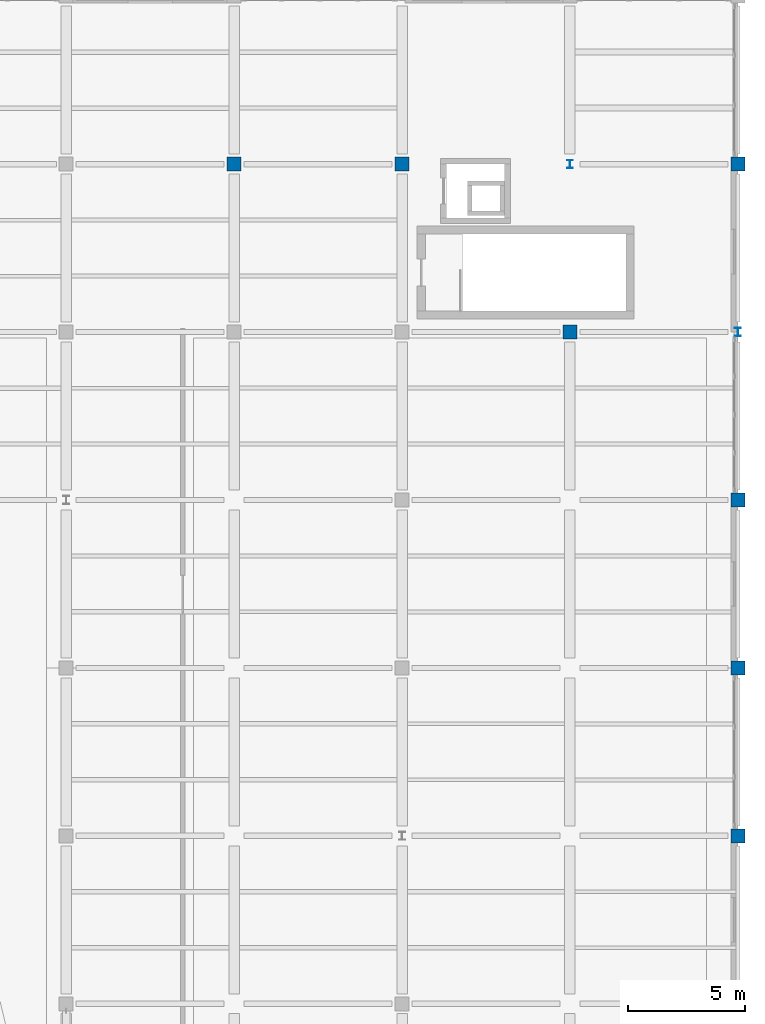
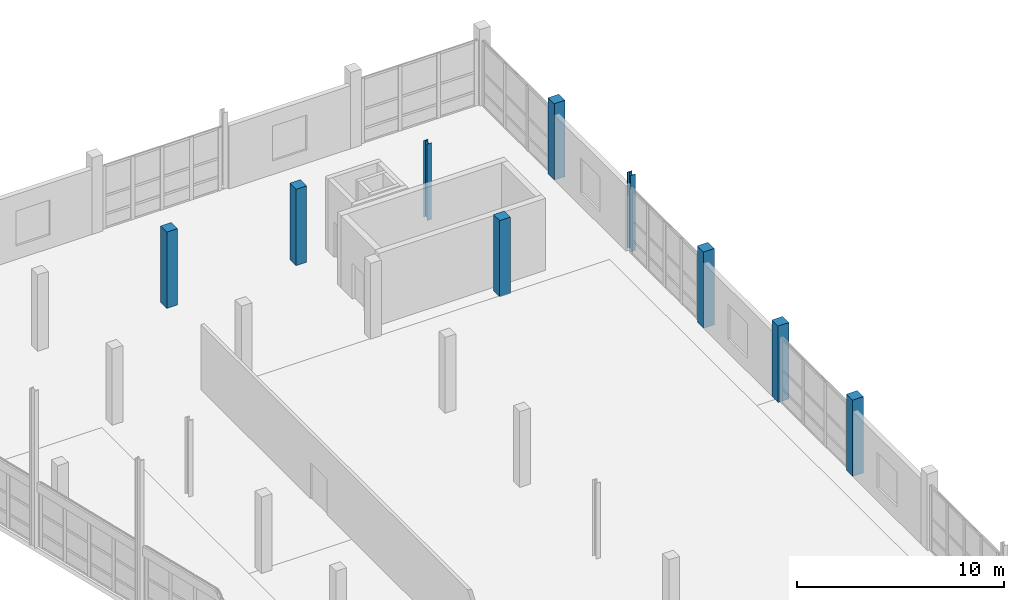
# One storey, part 23 of 123: 9 columns.
"""IFC4 building model written with IfcOpenShell, lengths in metres."""

from ifc_helpers import new_model, si_unit, direction, frame, origin, origin_2d, place, context, subcontext, project, spatial, rectangle, i_section, extrude, material, material_profile, profile_set, type_object, element, save


model = new_model("IFC4")

# Units and contexts
model_context = context("Model", 3, precision=1e-05, world=origin(), true_north=direction((0.0, 1.0)))
body_context = subcontext(model_context, "Body", "Model", "MODEL_VIEW")
ifc_project = project(units=[si_unit("LENGTHUNIT", "METRE"), si_unit("AREAUNIT", "SQUARE_METRE"), si_unit("VOLUMEUNIT", "CUBIC_METRE"), si_unit("PLANEANGLEUNIT", "RADIAN"), si_unit("MASSUNIT", "GRAM", prefix="KILO")], contexts=[model_context])

# Site, building, storey
site_placement = place(None, origin())
site = spatial("IfcSite", under=ifc_project, at=site_placement, CompositionType="ELEMENT")
building_placement = place(site_placement, origin())
building = spatial("IfcBuilding", under=site, at=building_placement, Name="Kalmorath City Hall", CompositionType="ELEMENT")
storey_placement = place(building_placement, frame((0.0, 0.0, 10.199951171875)))
storey = spatial("IfcBuildingStorey", under=building, at=storey_placement, Name="L02", CompositionType="ELEMENT", Elevation=10.199951171875)

# Columns
ifc_material_1 = material(Name="Concrete C50/60", Category="concrete")
ifc_material_profile_1 = material_profile(ifc_material_1, rectangle(XDim=0.60009765625, YDim=0.60009765625, at=origin_2d()), Name="RC-COL-600X600")
ifc_profile_set_1 = profile_set([ifc_material_profile_1], Name="Concrete C50/60")
column_type_1 = type_object("IfcColumnType", Name="Concrete column 600x600", PredefinedType="COLUMN", material=ifc_profile_set_1)
for number, where, z_axis, x_axis, name in (
    (1, (144.0, 93.60009765625, 0.0), (0.0, 0.0, 1.0), (1.0, 0.0, 0.0), "L02 column C6 (21/14)"),
    (2, (151.199951171875, 93.60009765625, 0.0), (0.0, 0.0, 1.0), (1.0, 0.0, 0.0), "L02 column C6 (22/14)"),
    (3, (158.39990234375, 86.39990234375, 0.0), (0.0, 0.0, 1.0), (1.0, 0.0, 0.0), "L02 column C6 (23/13)"),
    (4, (165.60009765625, 64.800048828125, 0.0), (0.0, 0.0, 1.0), (1.0, 0.0, 0.0), "L02 column C6 (24/10)"),
    (5, (165.60009765625, 72.0, 0.0), (0.0, 0.0, 1.0), (1.0, 0.0, 0.0), "L02 column C6 (24/11)"),
    (6, (165.60009765625, 79.199951171875, 0.0), (0.0, 0.0, 1.0), (1.0, 0.0, 0.0), "L02 column C6 (24/12)"),
    (7, (165.60009765625, 93.60009765625, 0.0), (0.0, 0.0, 1.0), (1.0, 0.0, 0.0), "L02 column C6 (24/14)"),
):
    element("IfcColumn", number, at=place(storey_placement, frame(where, z_axis=z_axis, x_axis=x_axis)), inside=storey, type_object=column_type_1, Name=name, PredefinedType="COLUMN", context=body_context, shape_type="SweptSolid", body=[
        extrude(rectangle(XDim=0.60009765625, YDim=0.60009765625, at=origin_2d()), origin(), (0.0, 0.0, 1.0), 4.5),
    ])
ifc_material_2 = material(Name="Steel ASTM A992 Grade 50", Category="steel")
ifc_material_profile_2 = material_profile(ifc_material_2, i_section(OverallWidth=0.25390625, OverallDepth=0.35302734375, WebThickness=0.009521484375, FlangeThickness=0.016357421875, FilletRadius=0.014892578125, at=origin_2d()), Name="W14X61")
ifc_profile_set_2 = profile_set([ifc_material_profile_2], Name="Steel ASTM A992 Grade 50")
column_type_2 = type_object("IfcColumnType", Name="Steel wide-flange column W14X61", PredefinedType="COLUMN", material=ifc_profile_set_2)
for number, where, z_axis, x_axis, name in (
    (8, (158.39990234375, 93.60009765625, 0.0), (0.0, 0.0, 1.0), (1.0, 0.0, 0.0), "L02 column SC1 (23/14)"),
    (9, (165.60009765625, 86.39990234375, 0.0), (0.0, 0.0, 1.0), (1.0, 0.0, 0.0), "L02 column SC1 (24/13)"),
):
    element("IfcColumn", number, at=place(storey_placement, frame(where, z_axis=z_axis, x_axis=x_axis)), inside=storey, type_object=column_type_2, Name=name, PredefinedType="COLUMN", context=body_context, shape_type="SweptSolid", body=[
        extrude(i_section(OverallWidth=0.25390625, OverallDepth=0.35302734375, WebThickness=0.009521484375, FlangeThickness=0.016357421875, FilletRadius=0.014892578125, at=origin_2d()), origin(), (0.0, 0.0, 1.0), 4.5),
    ])

save(model, "model.ifc")
